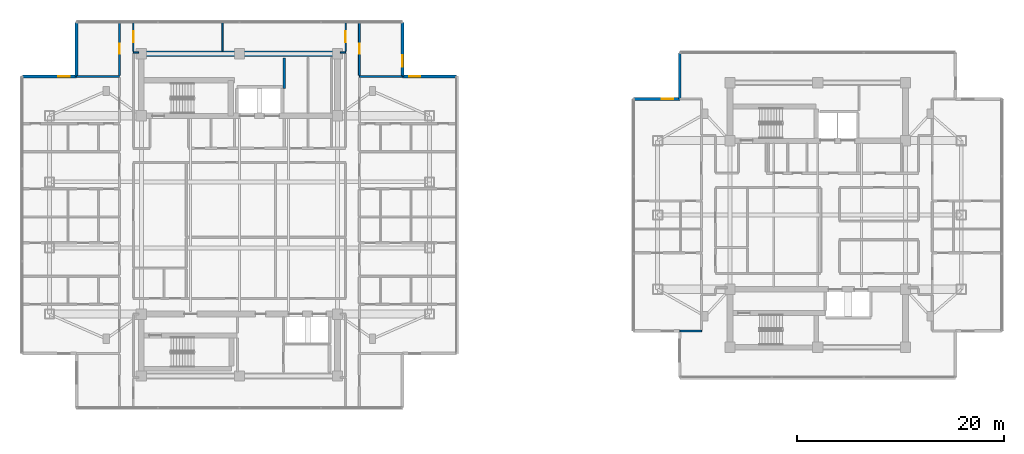
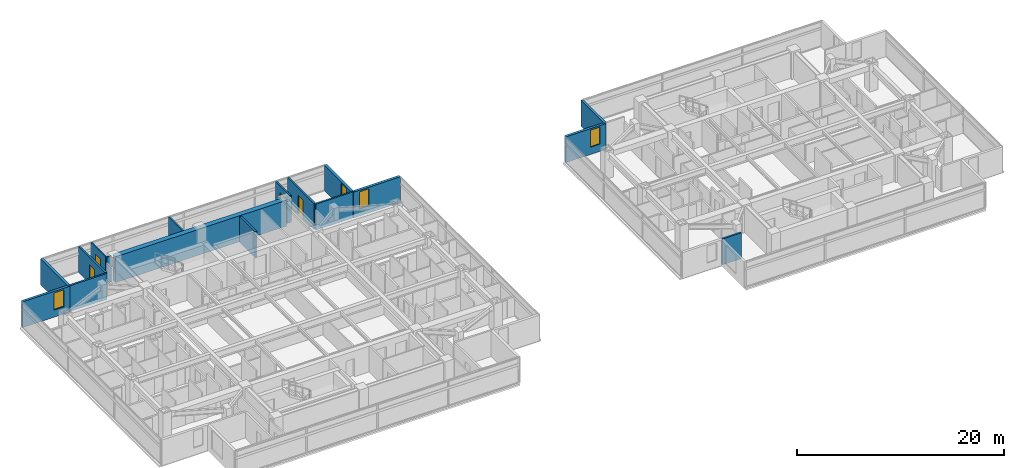
# One storey, part 17 of 26: 18 walls, 4 doors, 4 windows, 8 openings.
"""IFC4 building model written with IfcOpenShell, lengths in metres."""

from ifc_helpers import new_model, si_unit, direction, frame, frame_2d, origin, place, context, subcontext, project, spatial, rectangle, extrude, material, layer, layer_set, type_object, element, fill, save


model = new_model("IFC4")

# Units and contexts
model_context = context("Model", 3, precision=1e-05, world=origin(), true_north=direction((0.0, 1.0)))
body_context = subcontext(model_context, "Body", "Model", "MODEL_VIEW")
ifc_project = project(units=[si_unit("LENGTHUNIT", "METRE"), si_unit("AREAUNIT", "SQUARE_METRE"), si_unit("VOLUMEUNIT", "CUBIC_METRE"), si_unit("PLANEANGLEUNIT", "RADIAN"), si_unit("MASSUNIT", "GRAM", prefix="KILO")], contexts=[model_context])

# Site, building, storey
site_placement = place(None, origin())
site = spatial("IfcSite", under=ifc_project, at=site_placement, CompositionType="ELEMENT")
building_placement = place(site_placement, origin())
building = spatial("IfcBuilding", under=site, at=building_placement, Name="Mirazonda Arch Towers", CompositionType="ELEMENT")
storey_placement = place(building_placement, frame((0.0, 0.0, 170.64990234375)))
storey = spatial("IfcBuildingStorey", under=building, at=storey_placement, Name="L48", CompositionType="ELEMENT", Elevation=170.64990234375)

# Wall
ifc_material_1 = material(Name="Concrete C50/60", Category="concrete")
ifc_layer_1 = layer(ifc_material_1, 0.550048828125, Name="WALL-CORE-550")
ifc_layer_set_1 = layer_set([ifc_layer_1], Name="Concrete C50/60")
wall_type_1 = type_object("IfcWallType", Name="WALL-CORE-550", PredefinedType="SHEAR", material=ifc_layer_set_1)
wall_1_placement = place(storey_placement, frame((11.0, 43.60009765625, 0.0), z_axis=(0.0, 0.0, 1.0), x_axis=(1.0, 0.0, 0.0)))
element("IfcWall", 1, at=wall_1_placement, inside=storey, type_object=wall_type_1, Name="L48 T1N-N Core Shear Wall", PredefinedType="SHEAR", context=body_context, shape_type="SweptSolid", body=[
    extrude(rectangle(XDim=19.0, YDim=0.550048828125, at=frame_2d((9.5, 0.0))), origin(), (0.0, 0.0, 1.0), 3.050048828125),
])

# Wall, opening, window
ifc_material_2 = material(Name="Precast Concrete C40/50", Category="concrete")
ifc_layer_2 = layer(ifc_material_2, 0.280029296875, Name="WALL-EXT-WALL-280")
ifc_layer_set_2 = layer_set([ifc_layer_2], Name="Precast Concrete C40/50")
wall_type_2 = type_object("IfcWallType", Name="WALL-EXT-WALL-280", PredefinedType="SOLIDWALL", material=ifc_layer_set_2)
wall_2_placement = place(storey_placement, frame((36.284912109375, 41.4150390625, 0.0), z_axis=(0.0, 0.0, 1.0), x_axis=(0.0, 1.0, 0.0)))
wall_2 = element("IfcWall", 2, at=wall_2_placement, inside=storey, type_object=wall_type_2, Name="L48 T1 Notched NE Corner Wall WL-L48-T1-CNE", PredefinedType="SOLIDWALL", context=body_context, shape_type="SweptSolid", body=[
    extrude(rectangle(XDim=5.244873046875, YDim=0.280029296875, at=frame_2d((2.62255859375, 0.0))), origin(), (0.0, 0.0, 1.0), 3.030029296875),
])
opening_1_placement = place(wall_2_placement, frame((0.949951171875, 0.0, 0.85009765625)))
opening_1 = element("IfcOpeningElement", 3, at=opening_1_placement, cuts=wall_2, Name="Opening WN-108", PredefinedType="OPENING", context=body_context, shape_type="SweptSolid", body=[
    extrude(rectangle(XDim=1.10009765625, YDim=2.0, at=frame_2d((0.550048828125, 1.0))), frame((0.0, 0.14990234375, 0.0), z_axis=(0.0, -1.0, 0.0), x_axis=(1.0, 0.0, 0.0)), (0.0, 0.0, 1.0), 0.300048828125),
])
ifc_material_3 = material(Name="Insulated Low-E Solar Glass", Category="glass")
window_type = type_object("IfcWindowType", Name="WIN-NOTCH-1100x2000", PartitioningType="SINGLE_PANEL", PredefinedType="WINDOW", material=ifc_material_3)
window_1_placement = place(opening_1_placement, origin())
window_1 = element("IfcWindow", 4, at=window_1_placement, inside=storey, type_object=window_type, Name="L48 Punched Facade Window WN-L48-T1-CNE", OverallHeight=2.0, OverallWidth=1.10009765625, PartitioningType="SINGLE_PANEL", PredefinedType="WINDOW", context=body_context, shape_type="SweptSolid", body=[
    extrude(rectangle(XDim=1.10009765625, YDim=2.0, at=frame_2d((0.550048828125, 1.0))), frame((0.0, 0.030029296875, 0.0), z_axis=(0.0, -1.0, 0.0), x_axis=(1.0, 0.0, 0.0)), (0.0, 0.0, 1.0), 0.06005859375),
])
fill(opening_1, window_1)

wall_3_placement = place(storey_placement, frame((4.715087890625, 41.4150390625, 0.0), z_axis=(0.0, 0.0, 1.0), x_axis=(-1.0, 0.0, 0.0)))
wall_3 = element("IfcWall", 5, at=wall_3_placement, inside=storey, type_object=wall_type_2, Name="L48 T1 Corner Notch Return Wall WL-L48-T1-CNW1", PredefinedType="SOLIDWALL", context=body_context, shape_type="SweptSolid", body=[
    extrude(rectangle(XDim=5.2451171875, YDim=0.280029296875, at=frame_2d((2.62255859375, 0.0))), origin(), (0.0, 0.0, 1.0), 3.030029296875),
])
opening_2_placement = place(wall_3_placement, frame((0.64990234375, 0.0, 0.85009765625)))
opening_2 = element("IfcOpeningElement", 6, at=opening_2_placement, cuts=wall_3, Name="Opening WN-108", PredefinedType="OPENING", context=body_context, shape_type="SweptSolid", body=[
    extrude(rectangle(XDim=1.10009765625, YDim=2.0, at=frame_2d((0.550048828125, 1.0))), frame((0.0, 0.14990234375, 0.0), z_axis=(0.0, -1.0, 0.0), x_axis=(1.0, 0.0, 0.0)), (0.0, 0.0, 1.0), 0.300048828125),
])
window_2_placement = place(opening_2_placement, origin())
window_2 = element("IfcWindow", 7, at=window_2_placement, inside=storey, type_object=window_type, Name="L48 Punched Facade Window WN-L48-T1-CNW1", OverallHeight=2.0, OverallWidth=1.10009765625, PartitioningType="SINGLE_PANEL", PredefinedType="WINDOW", context=body_context, shape_type="SweptSolid", body=[
    extrude(rectangle(XDim=1.10009765625, YDim=2.0, at=frame_2d((0.550048828125, 1.0))), frame((0.0, 0.030029296875, 0.0), z_axis=(0.0, -1.0, 0.0), x_axis=(1.0, 0.0, 0.0)), (0.0, 0.0, 1.0), 0.06005859375),
])
fill(opening_2, window_2)

# Wall
wall_4_placement = place(storey_placement, frame((4.715087890625, 46.659912109375, 0.0), z_axis=(0.0, 0.0, 1.0), x_axis=(0.0, -1.0, 0.0)))
element("IfcWall", 8, at=wall_4_placement, inside=storey, type_object=wall_type_2, Name="L48 T1 Corner Notch Return Wall WL-L48-T1-CNW2", PredefinedType="SOLIDWALL", context=body_context, shape_type="SweptSolid", body=[
    extrude(rectangle(XDim=5.244873046875, YDim=0.280029296875, at=frame_2d((2.62255859375, 0.0))), origin(), (0.0, 0.0, 1.0), 3.030029296875),
])

# Wall, opening, window
wall_5_placement = place(storey_placement, frame((41.530029296875, 41.4150390625, 0.0), z_axis=(0.0, 0.0, 1.0), x_axis=(-1.0, 0.0, 0.0)))
wall_5 = element("IfcWall", 9, at=wall_5_placement, inside=storey, type_object=wall_type_2, Name="L48 T1 Corner Notch Return Wall WL-L48-T1-CNE2", PredefinedType="SOLIDWALL", context=body_context, shape_type="SweptSolid", body=[
    extrude(rectangle(XDim=5.2451171875, YDim=0.280029296875, at=frame_2d((2.62255859375, 0.0))), origin(), (0.0, 0.0, 1.0), 3.030029296875),
])
opening_3_placement = place(wall_5_placement, frame((3.4951171875, 0.0, 0.85009765625)))
opening_3 = element("IfcOpeningElement", 10, at=opening_3_placement, cuts=wall_5, Name="Opening WN-108", PredefinedType="OPENING", context=body_context, shape_type="SweptSolid", body=[
    extrude(rectangle(XDim=1.10009765625, YDim=2.0, at=frame_2d((0.550048828125, 1.0))), frame((0.0, 0.14990234375, 0.0), z_axis=(0.0, -1.0, 0.0), x_axis=(1.0, 0.0, 0.0)), (0.0, 0.0, 1.0), 0.300048828125),
])
window_3_placement = place(opening_3_placement, origin())
window_3 = element("IfcWindow", 11, at=window_3_placement, inside=storey, type_object=window_type, Name="L48 Punched Facade Window WN-L48-T1-CNE2", OverallHeight=2.0, OverallWidth=1.10009765625, PartitioningType="SINGLE_PANEL", PredefinedType="WINDOW", context=body_context, shape_type="SweptSolid", body=[
    extrude(rectangle(XDim=1.10009765625, YDim=2.0, at=frame_2d((0.550048828125, 1.0))), frame((0.0, 0.030029296875, 0.0), z_axis=(0.0, -1.0, 0.0), x_axis=(1.0, 0.0, 0.0)), (0.0, 0.0, 1.0), 0.06005859375),
])
fill(opening_3, window_3)

wall_6_placement = place(storey_placement, frame((63.142578125, 39.242919921875, 0.0), z_axis=(0.0, 0.0, 1.0), x_axis=(-1.0, 0.0, 0.0)))
wall_6 = element("IfcWall", 12, at=wall_6_placement, inside=storey, type_object=wall_type_2, Name="L48 T2 Corner Notch Return Wall WL-L48-T2-CNW1", PredefinedType="SOLIDWALL", context=body_context, shape_type="SweptSolid", body=[
    extrude(rectangle(XDim=4.465087890625, YDim=0.280029296875, at=frame_2d((2.232421875, 0.0))), origin(), (0.0, 0.0, 1.0), 3.030029296875),
])
opening_4_placement = place(wall_6_placement, frame((0.64990234375, 0.0, 0.85009765625)))
opening_4 = element("IfcOpeningElement", 13, at=opening_4_placement, cuts=wall_6, Name="Opening WN-108", PredefinedType="OPENING", context=body_context, shape_type="SweptSolid", body=[
    extrude(rectangle(XDim=1.10009765625, YDim=2.0, at=frame_2d((0.550048828125, 1.0))), frame((0.0, 0.14990234375, 0.0), z_axis=(0.0, -1.0, 0.0), x_axis=(1.0, 0.0, 0.0)), (0.0, 0.0, 1.0), 0.300048828125),
])
window_4_placement = place(opening_4_placement, origin())
window_4 = element("IfcWindow", 14, at=window_4_placement, inside=storey, type_object=window_type, Name="L48 Punched Facade Window WN-L48-T2-CNW1", OverallHeight=2.0, OverallWidth=1.10009765625, PartitioningType="SINGLE_PANEL", PredefinedType="WINDOW", context=body_context, shape_type="SweptSolid", body=[
    extrude(rectangle(XDim=1.10009765625, YDim=2.0, at=frame_2d((0.550048828125, 1.0))), frame((0.0, 0.030029296875, 0.0), z_axis=(0.0, -1.0, 0.0), x_axis=(1.0, 0.0, 0.0)), (0.0, 0.0, 1.0), 0.06005859375),
])
fill(opening_4, window_4)

# Walls
wall_7_placement = place(storey_placement, frame((63.142578125, 43.7080078125, 0.0), z_axis=(0.0, 0.0, 1.0), x_axis=(0.0, -1.0, 0.0)))
element("IfcWall", 15, at=wall_7_placement, inside=storey, type_object=wall_type_2, Name="L48 T2 Corner Notch Return Wall WL-L48-T2-CNW2", PredefinedType="SOLIDWALL", context=body_context, shape_type="SweptSolid", body=[
    extrude(rectangle(XDim=4.465087890625, YDim=0.280029296875, at=frame_2d((2.232421875, 0.0))), origin(), (0.0, 0.0, 1.0), 3.030029296875),
])
ifc_material_4 = material(Name="Concrete C40/50", Category="concrete")
ifc_layer_3 = layer(ifc_material_4, 0.219970703125, Name="WALL-FFL-220")
ifc_layer_set_3 = layer_set([ifc_layer_3], Name="Concrete C40/50")
wall_type_3 = type_object("IfcWallType", Name="WALL-FFL-220", PredefinedType="SOLIDWALL", material=ifc_layer_set_3)
wall_8_placement = place(storey_placement, frame((24.85009765625, 40.260009765625, 0.0), z_axis=(0.0, 0.0, 1.0), x_axis=(0.0, 1.0, 0.0)))
element("IfcWall", 16, at=wall_8_placement, inside=storey, type_object=wall_type_3, Name="L48 Interior Partition 107", PredefinedType="SOLIDWALL", context=body_context, shape_type="SweptSolid", body=[
    extrude(rectangle(XDim=2.93994140625, YDim=0.219970703125, at=frame_2d((1.469970703125, 0.0))), origin(), (0.0, 0.0, 1.0), 3.050048828125),
])
ifc_material_5 = material(Name="Fire-Rated Gypsum Stud Partition")
ifc_layer_4 = layer(ifc_material_5, 0.14990234375, Name="WALL-PART-CORR-150")
ifc_layer_set_4 = layer_set([ifc_layer_4], Name="Fire-Rated Gypsum Stud Partition")
wall_type_4 = type_object("IfcWallType", Name="WALL-PART-CORR-150", PredefinedType="PARTITIONING", material=ifc_layer_set_4)
for number, where, z_axis, x_axis, name in (
    (17, (10.219970703125, 43.75, 0.0), (0.0, 0.0, 1.0), (1.0, 0.0, 0.0), "L48 Interior Partition 062"),
    (18, (30.27001953125, 43.75, 0.0), (0.0, 0.0, 1.0), (1.0, 0.0, 0.0), "L48 Interior Partition 063"),
):
    element("IfcWall", number, at=place(storey_placement, frame(where, z_axis=z_axis, x_axis=x_axis)), inside=storey, type_object=wall_type_4, Name=name, PredefinedType="PARTITIONING", context=body_context, shape_type="SweptSolid", body=[
        extrude(rectangle(XDim=0.510009765625, YDim=0.14990234375, at=frame_2d((0.2548828125, 0.0))), origin(), (0.0, 0.0, 1.0), 3.050048828125),
    ])

# Wall, opening, door
wall_9_placement = place(storey_placement, frame((10.219970703125, 43.8349609375, 0.0), z_axis=(0.0, 0.0, 1.0), x_axis=(0.0, 1.0, 0.0)))
wall_9 = element("IfcWall", 19, at=wall_9_placement, inside=storey, type_object=wall_type_4, Name="L48 Interior Partition 087", PredefinedType="PARTITIONING", context=body_context, shape_type="SweptSolid", body=[
    extrude(rectangle(XDim=2.824951171875, YDim=0.14990234375, at=frame_2d((1.41259765625, 0.0))), origin(), (0.0, 0.0, 1.0), 3.050048828125),
])
opening_5_placement = place(wall_9_placement, frame((0.887451171875, 0.0, 0.0)))
opening_5 = element("IfcOpeningElement", 20, at=opening_5_placement, cuts=wall_9, Name="Opening DR-121", PredefinedType="OPENING", context=body_context, shape_type="SweptSolid", body=[
    extrude(rectangle(XDim=1.050048828125, YDim=2.199951171875, at=frame_2d((0.52490234375, 1.10009765625))), frame((0.0, 0.0849609375, 0.0), z_axis=(0.0, -1.0, 0.0), x_axis=(1.0, 0.0, 0.0)), (0.0, 0.0, 1.0), 0.169921875),
])
ifc_material_6 = material(Name="Architectural Brushed Steel S355", Category="steel")
door_type_1 = type_object("IfcDoorType", Name="DOOR-SUITE-FD60-1050", OperationType="NOTDEFINED", PredefinedType="DOOR", material=ifc_material_6)
door_1_placement = place(opening_5_placement, origin())
door_1 = element("IfcDoor", 21, at=door_1_placement, inside=storey, type_object=door_type_1, Name="L48 North Bay Sunroom West Door", OperationType="SINGLE_SWING_LEFT", OverallHeight=2.199951171875, OverallWidth=1.050048828125, PredefinedType="DOOR", context=body_context, shape_type="SweptSolid", body=[
    extrude(rectangle(XDim=1.050048828125, YDim=2.199951171875, at=frame_2d((0.52490234375, 1.10009765625))), frame((0.0, 0.02490234375, 0.0), z_axis=(0.0, -1.0, 0.0), x_axis=(1.0, 0.0, 0.0)), (0.0, 0.0, 1.0), 0.050048828125),
])
fill(opening_5, door_1)

# Wall
wall_10_placement = place(storey_placement, frame((18.85498046875, 43.8701171875, 0.0), z_axis=(0.0, 0.0, 1.0), x_axis=(0.0, 1.0, 0.0)))
element("IfcWall", 22, at=wall_10_placement, inside=storey, type_object=wall_type_4, Name="L48 Interior Partition 095", PredefinedType="PARTITIONING", context=body_context, shape_type="SweptSolid", body=[
    extrude(rectangle(XDim=2.789794921875, YDim=0.14990234375, at=frame_2d((1.39501953125, 0.0))), origin(), (0.0, 0.0, 1.0), 3.050048828125),
])

# Wall, opening, door
wall_11_placement = place(storey_placement, frame((30.780029296875, 43.8349609375, 0.0), z_axis=(0.0, 0.0, 1.0), x_axis=(0.0, 1.0, 0.0)))
wall_11 = element("IfcWall", 23, at=wall_11_placement, inside=storey, type_object=wall_type_4, Name="L48 Interior Partition 119", PredefinedType="PARTITIONING", context=body_context, shape_type="SweptSolid", body=[
    extrude(rectangle(XDim=2.824951171875, YDim=0.14990234375, at=frame_2d((1.41259765625, 0.0))), origin(), (0.0, 0.0, 1.0), 3.050048828125),
])
opening_6_placement = place(wall_11_placement, frame((0.887451171875, 0.0, 0.0)))
opening_6 = element("IfcOpeningElement", 24, at=opening_6_placement, cuts=wall_11, Name="Opening DR-121", PredefinedType="OPENING", context=body_context, shape_type="SweptSolid", body=[
    extrude(rectangle(XDim=1.050048828125, YDim=2.199951171875, at=frame_2d((0.52490234375, 1.10009765625))), frame((0.0, 0.0849609375, 0.0), z_axis=(0.0, -1.0, 0.0), x_axis=(1.0, 0.0, 0.0)), (0.0, 0.0, 1.0), 0.169921875),
])
door_2_placement = place(opening_6_placement, origin())
door_2 = element("IfcDoor", 25, at=door_2_placement, inside=storey, type_object=door_type_1, Name="L48 North Bay Sunroom East Door", OperationType="SINGLE_SWING_RIGHT", OverallHeight=2.199951171875, OverallWidth=1.050048828125, PredefinedType="DOOR", context=body_context, shape_type="SweptSolid", body=[
    extrude(rectangle(XDim=1.050048828125, YDim=2.199951171875, at=frame_2d((0.52490234375, 1.10009765625))), frame((0.0, 0.02490234375, 0.0), z_axis=(0.0, -1.0, 0.0), x_axis=(1.0, 0.0, 0.0)), (0.0, 0.0, 1.0), 0.050048828125),
])
fill(opening_6, door_2)

# Walls
ifc_material_7 = material(Name="Fire-Rated Gypsum Twin-Stud Assembly")
ifc_layer_5 = layer(ifc_material_7, 0.179931640625, Name="WALL-PART-DEMISE-180")
ifc_layer_set_5 = layer_set([ifc_layer_5], Name="Fire-Rated Gypsum Twin-Stud Assembly")
wall_type_5 = type_object("IfcWallType", Name="WALL-PART-DEMISE-180", PredefinedType="PARTITIONING", material=ifc_layer_set_5)
wall_12_placement = place(storey_placement, frame((63.16259765625, 16.757080078125, 0.0), z_axis=(0.0, 0.0, 1.0), x_axis=(1.0, 0.0, 0.0)))
element("IfcWall", 26, at=wall_12_placement, inside=storey, type_object=wall_type_5, Name="L48 Interior Partition 008", PredefinedType="PARTITIONING", context=body_context, shape_type="SweptSolid", body=[
    extrude(rectangle(XDim=2.08740234375, YDim=0.179931640625, at=frame_2d((1.043701171875, 0.0))), origin(), (0.0, 0.0, 1.0), 3.050048828125),
])
for number, where, z_axis, x_axis, name in (
    (27, (4.735107421875, 41.4150390625, 0.0), (0.0, 0.0, 1.0), (1.0, 0.0, 0.0), "L48 Interior Partition 060"),
    (28, (32.1201171875, 41.4150390625, 0.0), (0.0, 0.0, 1.0), (1.0, 0.0, 0.0), "L48 Interior Partition 061"),
):
    element("IfcWall", number, at=place(storey_placement, frame(where, z_axis=z_axis, x_axis=x_axis)), inside=storey, type_object=wall_type_5, Name=name, PredefinedType="PARTITIONING", context=body_context, shape_type="SweptSolid", body=[
        extrude(rectangle(XDim=4.144775390625, YDim=0.179931640625, at=frame_2d((2.072265625, 0.0))), origin(), (0.0, 0.0, 1.0), 3.050048828125),
    ])

# Wall, opening, door
wall_13_placement = place(storey_placement, frame((8.8798828125, 41.514892578125, 0.0), z_axis=(0.0, 0.0, 1.0), x_axis=(0.0, 1.0, 0.0)))
wall_13 = element("IfcWall", 29, at=wall_13_placement, inside=storey, type_object=wall_type_5, Name="L48 Interior Partition 081", PredefinedType="PARTITIONING", context=body_context, shape_type="SweptSolid", body=[
    extrude(rectangle(XDim=5.14501953125, YDim=0.179931640625, at=frame_2d((2.572509765625, 0.0))), origin(), (0.0, 0.0, 1.0), 3.050048828125),
])
opening_7_placement = place(wall_13_placement, frame((2.097412109375, 0.0, 0.0)))
opening_7 = element("IfcOpeningElement", 30, at=opening_7_placement, cuts=wall_13, Name="Opening DR-104", PredefinedType="OPENING", context=body_context, shape_type="SweptSolid", body=[
    extrude(rectangle(XDim=0.949951171875, YDim=2.14990234375, at=frame_2d((0.47509765625, 1.074951171875))), frame((0.0, 0.099853515625, 0.0), z_axis=(0.0, -1.0, 0.0), x_axis=(1.0, 0.0, 0.0)), (0.0, 0.0, 1.0), 0.199951171875),
])
door_type_2 = type_object("IfcDoorType", Name="DOOR-ROOM-950", OperationType="NOTDEFINED", PredefinedType="DOOR", material=ifc_material_6)
door_3_placement = place(opening_7_placement, origin())
door_3 = element("IfcDoor", 31, at=door_3_placement, inside=storey, type_object=door_type_2, Name="L48 North Bay Sunroom Alcove West Door", OperationType="SINGLE_SWING_LEFT", OverallHeight=2.14990234375, OverallWidth=0.949951171875, PredefinedType="DOOR", context=body_context, shape_type="SweptSolid", body=[
    extrude(rectangle(XDim=0.949951171875, YDim=2.14990234375, at=frame_2d((0.47509765625, 1.074951171875))), frame((0.0, 0.02490234375, 0.0), z_axis=(0.0, -1.0, 0.0), x_axis=(1.0, 0.0, 0.0)), (0.0, 0.0, 1.0), 0.050048828125),
])
fill(opening_7, door_3)

wall_14_placement = place(storey_placement, frame((32.1201171875, 41.514892578125, 0.0), z_axis=(0.0, 0.0, 1.0), x_axis=(0.0, 1.0, 0.0)))
wall_14 = element("IfcWall", 32, at=wall_14_placement, inside=storey, type_object=wall_type_5, Name="L48 Interior Partition 129", PredefinedType="PARTITIONING", context=body_context, shape_type="SweptSolid", body=[
    extrude(rectangle(XDim=5.14501953125, YDim=0.179931640625, at=frame_2d((2.572509765625, 0.0))), origin(), (0.0, 0.0, 1.0), 3.050048828125),
])
opening_8_placement = place(wall_14_placement, frame((2.097412109375, 0.0, 0.0)))
opening_8 = element("IfcOpeningElement", 33, at=opening_8_placement, cuts=wall_14, Name="Opening DR-104", PredefinedType="OPENING", context=body_context, shape_type="SweptSolid", body=[
    extrude(rectangle(XDim=0.949951171875, YDim=2.14990234375, at=frame_2d((0.47509765625, 1.074951171875))), frame((0.0, 0.099853515625, 0.0), z_axis=(0.0, -1.0, 0.0), x_axis=(1.0, 0.0, 0.0)), (0.0, 0.0, 1.0), 0.199951171875),
])
door_4_placement = place(opening_8_placement, origin())
door_4 = element("IfcDoor", 34, at=door_4_placement, inside=storey, type_object=door_type_2, Name="L48 North Bay Sunroom Alcove East Door", OperationType="SINGLE_SWING_RIGHT", OverallHeight=2.14990234375, OverallWidth=0.949951171875, PredefinedType="DOOR", context=body_context, shape_type="SweptSolid", body=[
    extrude(rectangle(XDim=0.949951171875, YDim=2.14990234375, at=frame_2d((0.47509765625, 1.074951171875))), frame((0.0, 0.02490234375, 0.0), z_axis=(0.0, -1.0, 0.0), x_axis=(1.0, 0.0, 0.0)), (0.0, 0.0, 1.0), 0.050048828125),
])
fill(opening_8, door_4)

save(model, "model.ifc")
